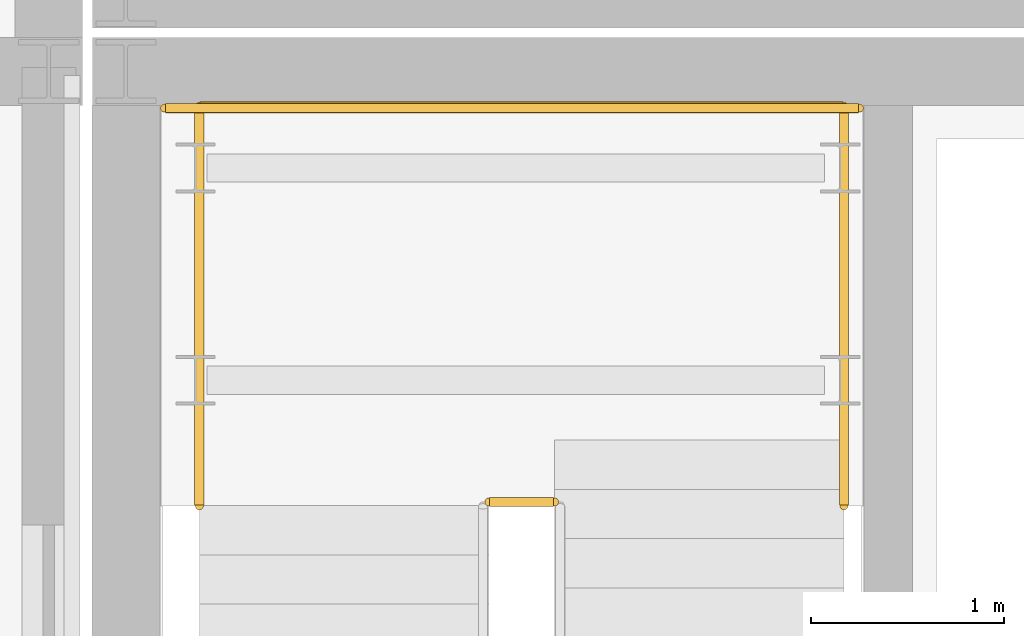
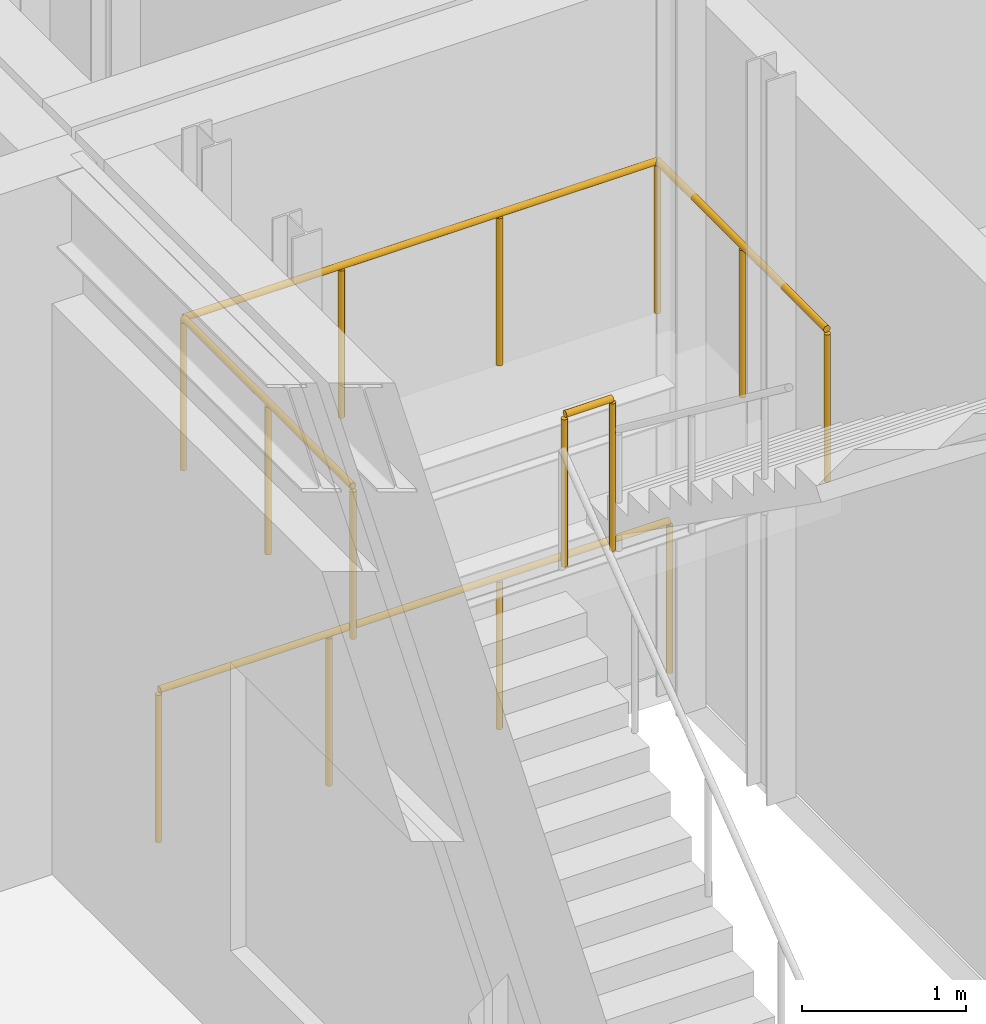
# One storey, part 89 of 94: 3 railings.
"""IFC4 building model written with IfcOpenShell, lengths in metres."""

from ifc_helpers import new_model, si_unit, direction, frame, origin, origin_2d, place, context, subcontext, project, spatial, circle, extrude, material, type_object, element, save


model = new_model("IFC4")

# Units and contexts
model_context = context("Model", 3, precision=1e-05, world=origin(), true_north=direction((0.0, 1.0)))
body_context = subcontext(model_context, "Body", "Model", "MODEL_VIEW")
ifc_project = project(units=[si_unit("LENGTHUNIT", "METRE"), si_unit("AREAUNIT", "SQUARE_METRE"), si_unit("VOLUMEUNIT", "CUBIC_METRE"), si_unit("PLANEANGLEUNIT", "RADIAN"), si_unit("MASSUNIT", "GRAM", prefix="KILO")], contexts=[model_context])

# Site, building, storey
site_placement = place(None, origin())
site = spatial("IfcSite", under=ifc_project, at=site_placement, CompositionType="ELEMENT")
building_placement = place(site_placement, origin())
building = spatial("IfcBuilding", under=site, at=building_placement, Name="Zulena Civic Courthouse", CompositionType="ELEMENT")
storey_placement = place(building_placement, frame((0.0, 0.0, 5.39990234375)))
storey = spatial("IfcBuildingStorey", under=building, at=storey_placement, Name="L01", CompositionType="ELEMENT", Elevation=5.39990234375)

# Railings
ifc_material = material(Name="Brushed architectural steel ASTM A36", Category="steel")
railing_type = type_object("IfcRailingType", Name="InteriorGuardrail_1150", PredefinedType="GUARDRAIL", material=ifc_material)
railing_1_placement = place(storey_placement, frame((124.60009765625, 30.2099609375, 0.0)))
element("IfcRailing", 1, at=railing_1_placement, inside=storey, type_object=railing_type, Name="gr:wellN:K1A:L00", PredefinedType="GUARDRAIL", context=body_context, shape_type="SweptSolid", body=[
    extrude(circle(Radius=0.02392578125, at=origin_2d()), frame((0.00390625, 0.0, 1.1259765625), z_axis=(1.0, 0.0, 0.0), x_axis=(0.0, 1.0, 0.0)), (0.0, 0.0, 1.0), 3.591796875),
    extrude(circle(Radius=0.02099609375, at=origin_2d()), origin(), (0.0, 0.0, 1.0), 1.097900390625),
    extrude(circle(Radius=0.02099609375, at=origin_2d()), frame((1.199951171875, 0.0, 0.0)), (0.0, 0.0, 1.0), 1.097900390625),
    extrude(circle(Radius=0.02099609375, at=origin_2d()), frame((2.39990234375, 0.0, 0.0)), (0.0, 0.0, 1.0), 1.097900390625),
    extrude(circle(Radius=0.02099609375, at=origin_2d()), frame((3.599853515625, 0.0, 0.0)), (0.0, 0.0, 1.0), 1.097900390625),
])
railing_2_placement = place(storey_placement, frame((124.780029296875, 28.149658203125, 2.7001953125)))
element("IfcRailing", 2, at=railing_2_placement, inside=storey, type_object=railing_type, Name="gr:lnd:K1A:L01", PredefinedType="GUARDRAIL", context=body_context, shape_type="SweptSolid", body=[
    extrude(circle(Radius=0.02392578125, at=origin_2d()), frame((0.0, 0.00390625, 1.1259765625), z_axis=(0.0, 1.0, 0.0), x_axis=(-1.0, 0.0, 0.0)), (0.0, 0.0, 1.0), 2.062255859375),
    extrude(circle(Radius=0.02392578125, at=origin_2d()), frame((0.00390625, 2.0703125, 1.1259765625), z_axis=(1.0, 0.0, 0.0), x_axis=(0.0, 1.0, 0.0)), (0.0, 0.0, 1.0), 3.33203125),
    extrude(circle(Radius=0.02392578125, at=origin_2d()), frame((3.340087890625, 2.06640625, 1.1259765625), z_axis=(0.0, -1.0, 0.0), x_axis=(1.0, 0.0, 0.0)), (0.0, 0.0, 1.0), 2.062255859375),
    extrude(circle(Radius=0.02099609375, at=origin_2d()), origin(), (0.0, 0.0, 1.0), 1.097900390625),
    extrude(circle(Radius=0.02099609375, at=origin_2d()), frame((0.0, 1.03515625, 0.0)), (0.0, 0.0, 1.0), 1.097900390625),
    extrude(circle(Radius=0.02099609375, at=origin_2d()), frame((0.0, 2.0703125, 0.0)), (0.0, 0.0, 1.0), 1.097900390625),
    extrude(circle(Radius=0.02099609375, at=origin_2d()), frame((1.11328125, 2.0703125, 0.0)), (0.0, 0.0, 1.0), 1.097900390625),
    extrude(circle(Radius=0.02099609375, at=origin_2d()), frame((2.226806640625, 2.0703125, 0.0)), (0.0, 0.0, 1.0), 1.097900390625),
    extrude(circle(Radius=0.02099609375, at=origin_2d()), frame((3.340087890625, 2.0703125, 0.0)), (0.0, 0.0, 1.0), 1.097900390625),
    extrude(circle(Radius=0.02099609375, at=origin_2d()), frame((3.340087890625, 1.03515625, 0.0)), (0.0, 0.0, 1.0), 1.097900390625),
    extrude(circle(Radius=0.02099609375, at=origin_2d()), frame((3.340087890625, 0.0, 0.0)), (0.0, 0.0, 1.0), 1.097900390625),
])
railing_3_placement = place(storey_placement, frame((126.280029296875, 28.169921875, 2.7001953125)))
element("IfcRailing", 3, at=railing_3_placement, inside=storey, type_object=railing_type, Name="gr:lndslot:K1A:L01", PredefinedType="GUARDRAIL", context=body_context, shape_type="SweptSolid", body=[
    extrude(circle(Radius=0.02392578125, at=origin_2d()), frame((0.00390625, 0.0, 1.1259765625), z_axis=(1.0, 0.0, 0.0), x_axis=(0.0, 1.0, 0.0)), (0.0, 0.0, 1.0), 0.33203125),
    extrude(circle(Radius=0.02099609375, at=origin_2d()), origin(), (0.0, 0.0, 1.0), 1.097900390625),
    extrude(circle(Radius=0.02099609375, at=origin_2d()), frame((0.340087890625, 0.0, 0.0)), (0.0, 0.0, 1.0), 1.097900390625),
])

save(model, "model.ifc")
